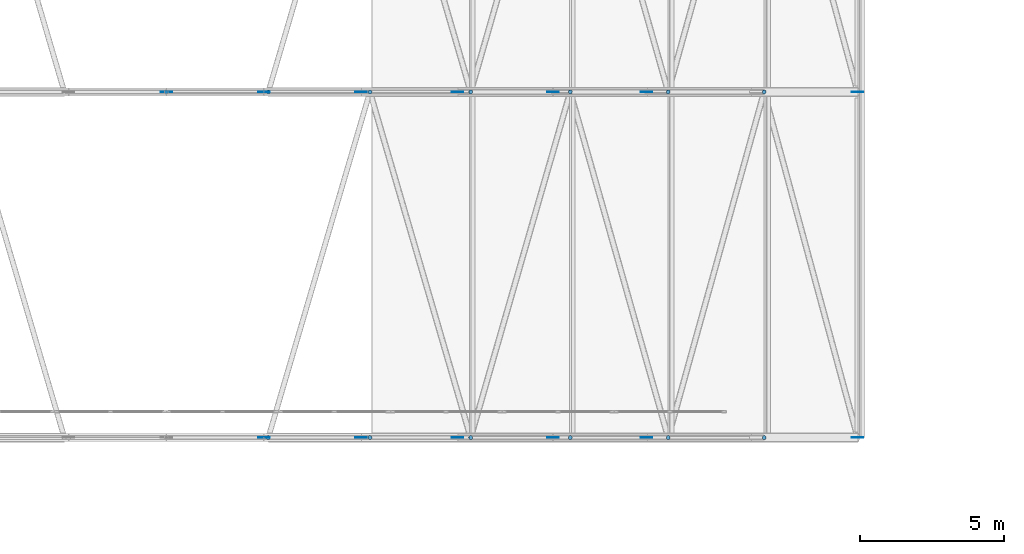
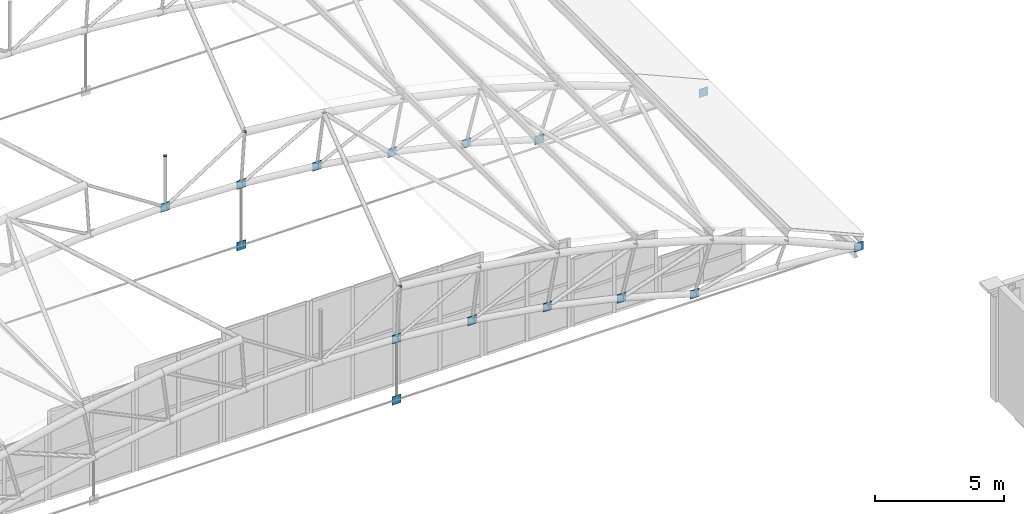
# One storey, part 288 of 321: 28 discrete accessories.
"""IFC4 building model written with IfcOpenShell, lengths in metres."""

import ifcopenshell
import ifcopenshell.guid

model = None  # the IFC model being written
_history = None  # IfcOwnerHistory: only IFC2X3 demands one
_inside = {}  # id of a spatial element -> (the spatial element, [elements in it])
_under = {}  # id of a project, library or spatial element -> (it, [spatial elements below it])
_declared = {}  # id of a project -> (the project, [libraries it declares])
_typed = {}  # id of a type object -> (the type object, [elements of that type])
_made_of = {}  # id of a material, layer set ... -> (it, [elements and type objects made of it])


def new_model(schema):
    """Start an empty IFC model of exactly this schema.

    Asked for "IFC4X3", IfcOpenShell would pick the latest addendum, in which some entities
    have other attributes; the version numbers below select the first issue.
    IFC2X3 requires an IfcOwnerHistory on every rooted entity: one is made here for all.
    """
    global model, _history
    if schema == "IFC4X3":
        model = ifcopenshell.file(schema_version=(4, 3, 0, 0))
    else:
        model = ifcopenshell.file(schema=schema)
    _inside.clear()
    _under.clear()
    _declared.clear()
    _typed.clear()
    _made_of.clear()
    _history = None
    if model.schema == "IFC2X3":
        org = make("IfcOrganization", Name="unknown")
        user = make(
            "IfcPersonAndOrganization",
            ThePerson=make("IfcPerson", FamilyName="unknown"),
            TheOrganization=org,
        )
        app = make(
            "IfcApplication",
            ApplicationDeveloper=org,
            Version="unknown",
            ApplicationFullName="unknown",
            ApplicationIdentifier="unknown",
        )
        _history = make(
            "IfcOwnerHistory",
            OwningUser=user,
            OwningApplication=app,
            ChangeAction="ADDED",
            CreationDate=0,
        )
    return model


def make(cls, **values):
    """One entity of the class cls with the attributes given. An attribute that is None is left unset."""
    return model.create_entity(
        cls, **{name: value for name, value in values.items() if value is not None}
    )


def rooted(cls, **values):
    """An entity with a GlobalId (a new one), such as an element, a storey or a relation."""
    return make(cls, GlobalId=ifcopenshell.guid.new(), OwnerHistory=_history, **values)


def si_unit(unit_type, name, prefix=None):
    """IfcSIUnit, for example si_unit("LENGTHUNIT", "METRE", prefix="MILLI")."""
    return make("IfcSIUnit", UnitType=unit_type, Prefix=prefix, Name=name)


def assignment(units):
    """IfcUnitAssignment: the units of a project."""
    return None if units is None else make("IfcUnitAssignment", Units=units)


def point(xyz):
    """IfcCartesianPoint."""
    return None if xyz is None else make("IfcCartesianPoint", Coordinates=xyz)


def direction(xyz):
    """IfcDirection."""
    return None if xyz is None else make("IfcDirection", DirectionRatios=xyz)


def frame(location, z_axis=None, x_axis=None):
    """IfcAxis2Placement3D, a coordinate frame: its origin and axes. An axis left out is left unset."""
    return make(
        "IfcAxis2Placement3D",
        Location=point(location),
        Axis=direction(z_axis),
        RefDirection=direction(x_axis),
    )


def frame_2d(location, x_axis=None):
    """IfcAxis2Placement2D, a coordinate frame in the plane: its origin and x axis."""
    return make(
        "IfcAxis2Placement2D", Location=point(location), RefDirection=direction(x_axis)
    )


def origin():
    """The frame at (0, 0, 0) with its axes left unset."""
    return frame((0.0, 0.0, 0.0))


def origin_2d():
    """The frame at (0, 0) in the plane with its x axis left unset."""
    return frame_2d((0.0, 0.0))


def place(relative_to, where):
    """IfcLocalPlacement: puts the frame where relative to a parent placement (None: the world)."""
    return make(
        "IfcLocalPlacement", PlacementRelTo=relative_to, RelativePlacement=where
    )


def context(
    kind, dimensions, precision=None, world=None, true_north=None, identifier=None
):
    """IfcGeometricRepresentationContext, for example the 3D "Model" context."""
    return make(
        "IfcGeometricRepresentationContext",
        ContextIdentifier=identifier,
        ContextType=kind,
        CoordinateSpaceDimension=dimensions,
        Precision=precision,
        WorldCoordinateSystem=world,
        TrueNorth=true_north,
    )


def subcontext(parent, identifier, kind, view, scale=None):
    """IfcGeometricRepresentationSubContext, for example "Body" below "Model"."""
    return make(
        "IfcGeometricRepresentationSubContext",
        ContextIdentifier=identifier,
        ContextType=kind,
        ParentContext=parent,
        TargetScale=scale,
        TargetView=view,
    )


def project(units=None, contexts=None):
    """IfcProject with its units and contexts."""
    return rooted(
        "IfcProject",
        Name="project",
        RepresentationContexts=contexts,
        UnitsInContext=assignment(units),
    )


def spatial(cls, under=None, at=None, **own):
    """A site, building, storey or space (cls), placed at a placement, below another one or the project."""
    s = rooted(cls, ObjectPlacement=at, **own)
    if under is not None:
        _under.setdefault(under.id(), (under, []))[1].append(s)
    return s


def profile(cls, at=None, kind="AREA", **sizes):
    """A parametric profile (cls). Its sizes go by their IFC names, for example OverallWidth=200.0."""
    return make(cls, ProfileType=kind, Position=at, **sizes)


def rectangle(**sizes):
    """IfcRectangleProfileDef."""
    return profile("IfcRectangleProfileDef", **sizes)


def circle(**sizes):
    """IfcCircleProfileDef."""
    return profile("IfcCircleProfileDef", **sizes)


def extrude(swept, where, along, depth):
    """IfcExtrudedAreaSolid: the profile swept, set in the frame where, extruded along a direction by depth."""
    return make(
        "IfcExtrudedAreaSolid",
        SweptArea=swept,
        Position=where,
        ExtrudedDirection=direction(along),
        Depth=depth,
    )


def shape(context_of_items, identifier, shape_type, items):
    """IfcShapeRepresentation: the items that make up one representation, for example the "Body"."""
    return make(
        "IfcShapeRepresentation",
        ContextOfItems=context_of_items,
        RepresentationIdentifier=identifier,
        RepresentationType=shape_type,
        Items=items,
    )


def material(Name=None, Category=None):
    """IfcMaterial."""
    return make("IfcMaterial", Name=Name, Category=Category)


def material_profile(
    of_material, cross_section, Name=None, Category=None, Priority=None
):
    """IfcMaterialProfile: a cross section and its material."""
    return make(
        "IfcMaterialProfile",
        Name=Name,
        Material=of_material,
        Profile=cross_section,
        Priority=Priority,
        Category=Category,
    )


def profile_set(profiles, Name=None, composite=None):
    """IfcMaterialProfileSet."""
    return make(
        "IfcMaterialProfileSet",
        Name=Name,
        MaterialProfiles=profiles,
        CompositeProfile=composite,
    )


def made_of(thing, what):
    """Note that an element or type object is made of a material, layer set ...; save() writes the relation."""
    if what is not None:
        _made_of.setdefault(what.id(), (what, []))[1].append(thing)
    return thing


def type_object(cls, material=None, **own):
    """A type object (cls), such as IfcWallType, which elements share."""
    return made_of(rooted(cls, **own), material)


def element(
    cls,
    number,
    at=None,
    inside=None,
    cuts=None,
    type_object=None,
    material=None,
    context=None,
    identifier="Body",
    shape_type=None,
    held_by="IfcProductDefinitionShape",
    body=None,
    shapes=None,
    **own,
):
    """One element of the class cls, such as IfcWall. Its Tag is "e" and its number.

    at: its placement. inside: the storey or other place that contains it. cuts: it is an
    opening in that element (IfcRelVoidsElement). A single representation is given by context,
    identifier, shape_type and body (its items); several are given by shapes. held_by: the class
    of the entity that holds the representations. save() writes the other relations.
    """
    e = rooted(cls, Tag="e%d" % number, ObjectPlacement=at, **own)
    if body is not None:
        shapes = [shape(context, identifier, shape_type, body)]
    if shapes is not None:
        e.Representation = make(held_by, Representations=shapes)
    if inside is not None:
        _inside.setdefault(inside.id(), (inside, []))[1].append(e)
    if cuts is not None:
        rooted(
            "IfcRelVoidsElement", RelatingBuildingElement=cuts, RelatedOpeningElement=e
        )
    if type_object is not None:
        _typed.setdefault(type_object.id(), (type_object, []))[1].append(e)
    return made_of(e, material)


def aggregate(whole, parts):
    """IfcRelAggregates: a whole, such as a stair, and the parts it consists of."""
    return rooted("IfcRelAggregates", RelatingObject=whole, RelatedObjects=parts)


def save(model, path):
    """Write the relations noted so far, then the file.

    IfcRelAggregates (storeys below a building ...), IfcRelContainedInSpatialStructure (elements
    in a storey), IfcRelDefinesByType, IfcRelAssociatesMaterial and IfcRelDeclares: one each for
    every whole, place, type object, material and project.
    """
    for whole, parts in _under.values():
        aggregate(whole, parts)
    for where, things in _inside.values():
        rooted(
            "IfcRelContainedInSpatialStructure",
            RelatedElements=things,
            RelatingStructure=where,
        )
    for kind, things in _typed.values():
        rooted("IfcRelDefinesByType", RelatedObjects=things, RelatingType=kind)
    for what, things in _made_of.values():
        rooted("IfcRelAssociatesMaterial", RelatedObjects=things, RelatingMaterial=what)
    for by, libraries in _declared.values():
        rooted("IfcRelDeclares", RelatingContext=by, RelatedDefinitions=libraries)
    model.write(path)


model = new_model("IFC4")

# Units and contexts
model_context = context("Model", 3, precision=1e-05, world=origin(), true_north=direction((0.0, 1.0)))
body_context = subcontext(model_context, "Body", "Model", "MODEL_VIEW")
ifc_project = project(units=[si_unit("LENGTHUNIT", "METRE"), si_unit("AREAUNIT", "SQUARE_METRE"), si_unit("VOLUMEUNIT", "CUBIC_METRE"), si_unit("PLANEANGLEUNIT", "RADIAN"), si_unit("MASSUNIT", "GRAM", prefix="KILO")], contexts=[model_context])

# Site, building, storey
site_placement = place(None, origin())
site = spatial("IfcSite", under=ifc_project, at=site_placement, CompositionType="ELEMENT")
building_placement = place(site_placement, origin())
building = spatial("IfcBuilding", under=site, at=building_placement, Name="Ravi Spectrum Wholesale Market", CompositionType="ELEMENT")
storey_placement = place(building_placement, frame((0.0, 0.0, 10.800048828125)))
storey = spatial("IfcBuildingStorey", under=building, at=storey_placement, Name="L02", CompositionType="ELEMENT", Elevation=10.800048828125)

# Discrete accessories
ifc_material_1 = material(Name="Steel S355", Category="steel")
ifc_material_profile_1 = material_profile(ifc_material_1, circle(Radius=0.06982421875, at=origin_2d()))
ifc_profile_set_1 = profile_set([ifc_material_profile_1], Name="Steel S355")
discrete_accessory_type_1 = type_object("IfcDiscreteAccessoryType", Name="End plate CHS 139.7x5", PredefinedType="BRACKET", material=ifc_profile_set_1)
for number, where, z_axis, x_axis, name in (
    (1, (177.540771484375, 78.0, 5.2880859375), (0.06111006328, 0.0, 0.998131033565), (0.0, 1.0, 0.0), "End plate"),
    (2, (181.0673828125, 78.0, 4.952392578125), (0.121541190452, 0.0, 0.992586388695), (0.0, 1.0, 0.0), "End plate"),
    (3, (184.565673828125, 78.0, 4.394775390625), (0.203954254112, 0.0, 0.978980419738), (0.0, 1.0, 0.0), "End plate"),
    (4, (188.02197265625, 78.0, 3.6171875), (0.247383245266, 0.0, 0.968917710624), (0.0, 1.0, 0.0), "End plate"),
    (5, (191.422119140625, 78.0, 2.62255859375), (0.304040173793, 0.0, 0.952659211219), (0.0, 1.0, 0.0), "End plate"),
    (6, (194.75244140625, 78.0, 1.415283203125), (0.364399348581, 0.0, 0.931242779706), (0.0, 1.0, 0.0), "End plate"),
    (7, (174.0, 90.0, 5.39990234375), (0.0, 0.0, 1.0), (1.0, 0.0, 0.0), "End plate"),
    (8, (177.540771484375, 90.0, 5.2880859375), (0.06111006328, 0.0, 0.998131033565), (0.0, 1.0, 0.0), "End plate"),
    (9, (181.0673828125, 90.0, 4.952392578125), (0.121541190452, 0.0, 0.992586388695), (0.0, 1.0, 0.0), "End plate"),
    (10, (184.565673828125, 90.0, 4.394775390625), (0.203954254112, 0.0, 0.978980419738), (0.0, 1.0, 0.0), "End plate"),
    (11, (188.02197265625, 90.0, 3.6171875), (0.247383245266, 0.0, 0.968917710624), (0.0, 1.0, 0.0), "End plate"),
    (12, (191.422119140625, 90.0, 2.62255859375), (0.304040173793, 0.0, 0.952659211219), (0.0, 1.0, 0.0), "End plate"),
    (13, (194.75244140625, 90.0, 1.415283203125), (0.364399348581, 0.0, 0.931242779706), (0.0, 1.0, 0.0), "End plate"),
):
    element("IfcDiscreteAccessory", number, at=place(storey_placement, frame(where, z_axis=z_axis, x_axis=x_axis)), inside=storey, type_object=discrete_accessory_type_1, Name=name, PredefinedType="BRACKET", context=body_context, shape_type="SweptSolid", body=[
        extrude(circle(Radius=0.06982421875, at=origin_2d()), origin(), (0.0, 0.0, 1.0), 0.011962890625),
    ])
ifc_material_2 = material(Name="Steel S355", Category="steel")
ifc_material_profile_2 = material_profile(ifc_material_2, rectangle(XDim=0.39990234375, YDim=0.02001953125, at=origin_2d()))
ifc_profile_set_2 = profile_set([ifc_material_profile_2], Name="Steel S355")
discrete_accessory_type_2 = type_object("IfcDiscreteAccessoryType", Name="Gusset plate 400x400x20", PredefinedType="BRACKET", material=ifc_profile_set_2)
for number, where, z_axis, x_axis, name in (
    (14, (174.0, 90.0, 2.800048828125), (0.0, 0.0, 1.0), (1.0, 0.0, 0.0), "Gusset plate"),
    (15, (177.38916015625, 78.0, -0.199951171875), (0.0, 0.0, 1.0), (1.0, 0.0, 0.0), "Gusset plate"),
    (16, (177.38916015625, 78.0, 2.69287109375), (0.0, 0.0, 1.0), (-1.0, 0.0, 0.0), "Gusset plate"),
    (17, (177.38916015625, 90.0, -0.199951171875), (0.0, 0.0, 1.0), (1.0, 0.0, 0.0), "Gusset plate"),
    (18, (177.38916015625, 90.0, 2.69287109375), (0.0, 0.0, 1.0), (-1.0, 0.0, 0.0), "Gusset plate"),
):
    element("IfcDiscreteAccessory", number, at=place(storey_placement, frame(where, z_axis=z_axis, x_axis=x_axis)), inside=storey, type_object=discrete_accessory_type_2, Name=name, PredefinedType="BRACKET", context=body_context, shape_type="SweptSolid", body=[
        extrude(rectangle(XDim=0.39990234375, YDim=0.02001953125, at=origin_2d()), origin(), (0.0, 0.0, 1.0), 0.39990234375),
    ])
for number, where, z_axis, x_axis, name in (
    (19, (180.7646484375, 78.0, 2.37158203125), (0.0, 0.0, 1.0), (-1.0, 0.0, 0.0), "Gusset plate"),
    (20, (180.7646484375, 90.0, 2.37158203125), (0.0, 0.0, 1.0), (-1.0, 0.0, 0.0), "Gusset plate"),
):
    element("IfcDiscreteAccessory", number, at=place(storey_placement, frame(where, z_axis=z_axis, x_axis=x_axis)), inside=storey, type_object=discrete_accessory_type_2, Name=name, PredefinedType="BRACKET", context=body_context, shape_type="SweptSolid", body=[
        extrude(rectangle(XDim=0.39990234375, YDim=0.02001953125, at=origin_2d()), origin(), (0.0, 0.0, 1.0), 0.400146484375),
    ])
for number, where, z_axis, x_axis, name in (
    (21, (184.11328125, 78.0, 1.837890625), (0.0, 0.0, 1.0), (-1.0, 0.0, 0.0), "Gusset plate"),
    (22, (184.11328125, 90.0, 1.837890625), (0.0, 0.0, 1.0), (-1.0, 0.0, 0.0), "Gusset plate"),
    (23, (187.42138671875, 78.0, 1.093505859375), (0.0, 0.0, 1.0), (-1.0, 0.0, 0.0), "Gusset plate"),
    (24, (187.42138671875, 90.0, 1.093505859375), (0.0, 0.0, 1.0), (-1.0, 0.0, 0.0), "Gusset plate"),
):
    element("IfcDiscreteAccessory", number, at=place(storey_placement, frame(where, z_axis=z_axis, x_axis=x_axis)), inside=storey, type_object=discrete_accessory_type_2, Name=name, PredefinedType="BRACKET", context=body_context, shape_type="SweptSolid", body=[
        extrude(rectangle(XDim=0.39990234375, YDim=0.02001953125, at=origin_2d()), origin(), (0.0, 0.0, 1.0), 0.39990234375),
    ])
for number, where, z_axis, x_axis, name in (
    (25, (190.67578125, 78.0, 0.1416015625), (0.0, 0.0, 1.0), (-1.0, 0.0, 0.0), "Gusset plate"),
    (26, (190.67578125, 90.0, 0.1416015625), (0.0, 0.0, 1.0), (-1.0, 0.0, 0.0), "Gusset plate"),
):
    element("IfcDiscreteAccessory", number, at=place(storey_placement, frame(where, z_axis=z_axis, x_axis=x_axis)), inside=storey, type_object=discrete_accessory_type_2, Name=name, PredefinedType="BRACKET", context=body_context, shape_type="SweptSolid", body=[
        extrude(rectangle(XDim=0.39990234375, YDim=0.02001953125, at=origin_2d()), origin(), (0.0, 0.0, 1.0), 0.400146484375),
    ])
for number, where, z_axis, x_axis, name in (
    (27, (198.0, 78.0, -0.199951171875), (0.0, 0.0, 1.0), (1.0, 0.0, 0.0), "Gusset plate"),
    (28, (198.0, 90.0, -0.199951171875), (0.0, 0.0, 1.0), (1.0, 0.0, 0.0), "Gusset plate"),
):
    element("IfcDiscreteAccessory", number, at=place(storey_placement, frame(where, z_axis=z_axis, x_axis=x_axis)), inside=storey, type_object=discrete_accessory_type_2, Name=name, PredefinedType="BRACKET", context=body_context, shape_type="SweptSolid", body=[
        extrude(rectangle(XDim=0.39990234375, YDim=0.02001953125, at=origin_2d()), origin(), (0.0, 0.0, 1.0), 0.39990234375),
    ])

save(model, "model.ifc")
